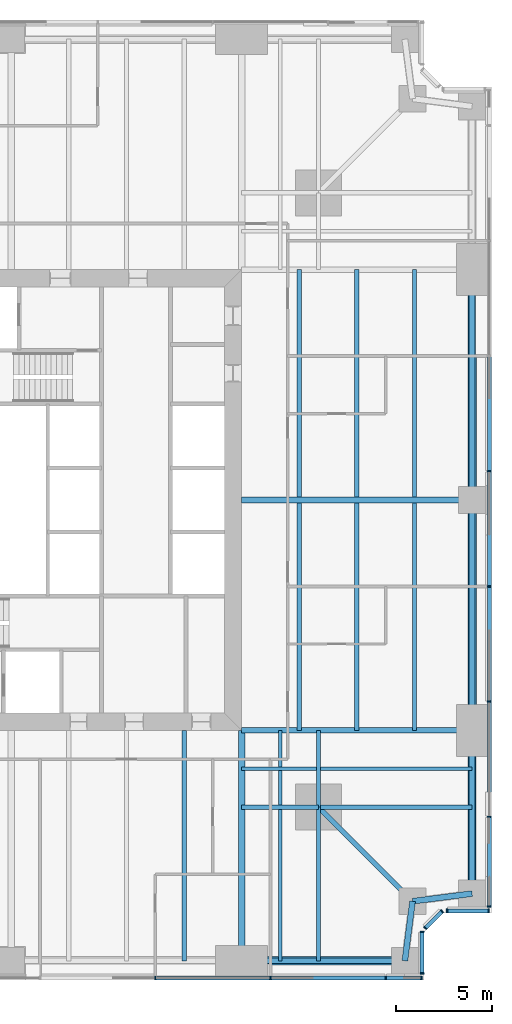
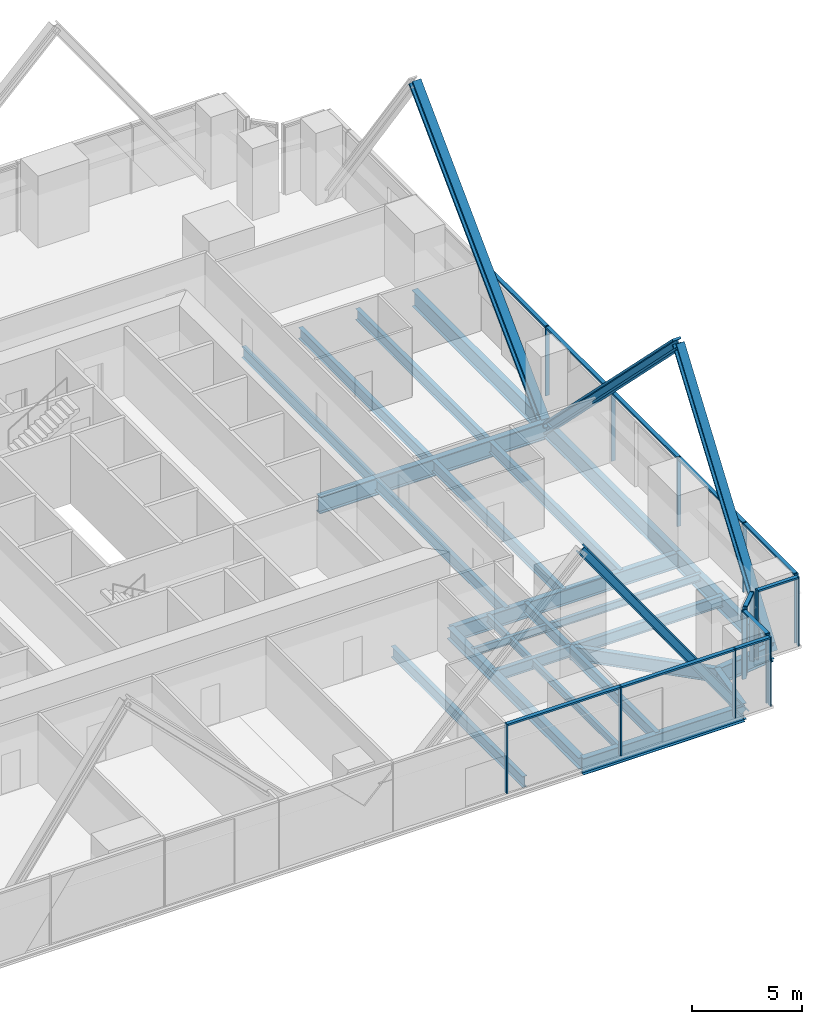
# One storey, part 5 of 13: 30 members, 26 beams, 5 elements without a shape of their own.
"""IFC4 building model written with IfcOpenShell, lengths in metres."""

import ifcopenshell
import ifcopenshell.guid

model = None  # the IFC model being written
_history = None  # IfcOwnerHistory: only IFC2X3 demands one
_inside = {}  # id of a spatial element -> (the spatial element, [elements in it])
_under = {}  # id of a project, library or spatial element -> (it, [spatial elements below it])
_declared = {}  # id of a project -> (the project, [libraries it declares])
_typed = {}  # id of a type object -> (the type object, [elements of that type])
_made_of = {}  # id of a material, layer set ... -> (it, [elements and type objects made of it])


def new_model(schema):
    """Start an empty IFC model of exactly this schema.

    Asked for "IFC4X3", IfcOpenShell would pick the latest addendum, in which some entities
    have other attributes; the version numbers below select the first issue.
    IFC2X3 requires an IfcOwnerHistory on every rooted entity: one is made here for all.
    """
    global model, _history
    if schema == "IFC4X3":
        model = ifcopenshell.file(schema_version=(4, 3, 0, 0))
    else:
        model = ifcopenshell.file(schema=schema)
    _inside.clear()
    _under.clear()
    _declared.clear()
    _typed.clear()
    _made_of.clear()
    _history = None
    if model.schema == "IFC2X3":
        org = make("IfcOrganization", Name="unknown")
        user = make(
            "IfcPersonAndOrganization",
            ThePerson=make("IfcPerson", FamilyName="unknown"),
            TheOrganization=org,
        )
        app = make(
            "IfcApplication",
            ApplicationDeveloper=org,
            Version="unknown",
            ApplicationFullName="unknown",
            ApplicationIdentifier="unknown",
        )
        _history = make(
            "IfcOwnerHistory",
            OwningUser=user,
            OwningApplication=app,
            ChangeAction="ADDED",
            CreationDate=0,
        )
    return model


def make(cls, **values):
    """One entity of the class cls with the attributes given. An attribute that is None is left unset."""
    return model.create_entity(
        cls, **{name: value for name, value in values.items() if value is not None}
    )


def rooted(cls, **values):
    """An entity with a GlobalId (a new one), such as an element, a storey or a relation."""
    return make(cls, GlobalId=ifcopenshell.guid.new(), OwnerHistory=_history, **values)


def si_unit(unit_type, name, prefix=None):
    """IfcSIUnit, for example si_unit("LENGTHUNIT", "METRE", prefix="MILLI")."""
    return make("IfcSIUnit", UnitType=unit_type, Prefix=prefix, Name=name)


def assignment(units):
    """IfcUnitAssignment: the units of a project."""
    return None if units is None else make("IfcUnitAssignment", Units=units)


def point(xyz):
    """IfcCartesianPoint."""
    return None if xyz is None else make("IfcCartesianPoint", Coordinates=xyz)


def direction(xyz):
    """IfcDirection."""
    return None if xyz is None else make("IfcDirection", DirectionRatios=xyz)


def frame(location, z_axis=None, x_axis=None):
    """IfcAxis2Placement3D, a coordinate frame: its origin and axes. An axis left out is left unset."""
    return make(
        "IfcAxis2Placement3D",
        Location=point(location),
        Axis=direction(z_axis),
        RefDirection=direction(x_axis),
    )


def frame_2d(location, x_axis=None):
    """IfcAxis2Placement2D, a coordinate frame in the plane: its origin and x axis."""
    return make(
        "IfcAxis2Placement2D", Location=point(location), RefDirection=direction(x_axis)
    )


def origin():
    """The frame at (0, 0, 0) with its axes left unset."""
    return frame((0.0, 0.0, 0.0))


def origin_2d():
    """The frame at (0, 0) in the plane with its x axis left unset."""
    return frame_2d((0.0, 0.0))


def place(relative_to, where):
    """IfcLocalPlacement: puts the frame where relative to a parent placement (None: the world)."""
    return make(
        "IfcLocalPlacement", PlacementRelTo=relative_to, RelativePlacement=where
    )


def context(
    kind, dimensions, precision=None, world=None, true_north=None, identifier=None
):
    """IfcGeometricRepresentationContext, for example the 3D "Model" context."""
    return make(
        "IfcGeometricRepresentationContext",
        ContextIdentifier=identifier,
        ContextType=kind,
        CoordinateSpaceDimension=dimensions,
        Precision=precision,
        WorldCoordinateSystem=world,
        TrueNorth=true_north,
    )


def subcontext(parent, identifier, kind, view, scale=None):
    """IfcGeometricRepresentationSubContext, for example "Body" below "Model"."""
    return make(
        "IfcGeometricRepresentationSubContext",
        ContextIdentifier=identifier,
        ContextType=kind,
        ParentContext=parent,
        TargetScale=scale,
        TargetView=view,
    )


def project(units=None, contexts=None):
    """IfcProject with its units and contexts."""
    return rooted(
        "IfcProject",
        Name="project",
        RepresentationContexts=contexts,
        UnitsInContext=assignment(units),
    )


def spatial(cls, under=None, at=None, **own):
    """A site, building, storey or space (cls), placed at a placement, below another one or the project."""
    s = rooted(cls, ObjectPlacement=at, **own)
    if under is not None:
        _under.setdefault(under.id(), (under, []))[1].append(s)
    return s


def profile(cls, at=None, kind="AREA", **sizes):
    """A parametric profile (cls). Its sizes go by their IFC names, for example OverallWidth=200.0."""
    return make(cls, ProfileType=kind, Position=at, **sizes)


def rectangle(**sizes):
    """IfcRectangleProfileDef."""
    return profile("IfcRectangleProfileDef", **sizes)


def i_section(**sizes):
    """IfcIShapeProfileDef."""
    return profile("IfcIShapeProfileDef", **sizes)


def extrude(swept, where, along, depth):
    """IfcExtrudedAreaSolid: the profile swept, set in the frame where, extruded along a direction by depth."""
    return make(
        "IfcExtrudedAreaSolid",
        SweptArea=swept,
        Position=where,
        ExtrudedDirection=direction(along),
        Depth=depth,
    )


def shape(context_of_items, identifier, shape_type, items):
    """IfcShapeRepresentation: the items that make up one representation, for example the "Body"."""
    return make(
        "IfcShapeRepresentation",
        ContextOfItems=context_of_items,
        RepresentationIdentifier=identifier,
        RepresentationType=shape_type,
        Items=items,
    )


def material(Name=None, Category=None):
    """IfcMaterial."""
    return make("IfcMaterial", Name=Name, Category=Category)


def material_profile(
    of_material, cross_section, Name=None, Category=None, Priority=None
):
    """IfcMaterialProfile: a cross section and its material."""
    return make(
        "IfcMaterialProfile",
        Name=Name,
        Material=of_material,
        Profile=cross_section,
        Priority=Priority,
        Category=Category,
    )


def profile_set(profiles, Name=None, composite=None):
    """IfcMaterialProfileSet."""
    return make(
        "IfcMaterialProfileSet",
        Name=Name,
        MaterialProfiles=profiles,
        CompositeProfile=composite,
    )


def made_of(thing, what):
    """Note that an element or type object is made of a material, layer set ...; save() writes the relation."""
    if what is not None:
        _made_of.setdefault(what.id(), (what, []))[1].append(thing)
    return thing


def type_object(cls, material=None, **own):
    """A type object (cls), such as IfcWallType, which elements share."""
    return made_of(rooted(cls, **own), material)


def element(
    cls,
    number,
    at=None,
    inside=None,
    cuts=None,
    type_object=None,
    material=None,
    context=None,
    identifier="Body",
    shape_type=None,
    held_by="IfcProductDefinitionShape",
    body=None,
    shapes=None,
    **own,
):
    """One element of the class cls, such as IfcWall. Its Tag is "e" and its number.

    at: its placement. inside: the storey or other place that contains it. cuts: it is an
    opening in that element (IfcRelVoidsElement). A single representation is given by context,
    identifier, shape_type and body (its items); several are given by shapes. held_by: the class
    of the entity that holds the representations. save() writes the other relations.
    """
    e = rooted(cls, Tag="e%d" % number, ObjectPlacement=at, **own)
    if body is not None:
        shapes = [shape(context, identifier, shape_type, body)]
    if shapes is not None:
        e.Representation = make(held_by, Representations=shapes)
    if inside is not None:
        _inside.setdefault(inside.id(), (inside, []))[1].append(e)
    if cuts is not None:
        rooted(
            "IfcRelVoidsElement", RelatingBuildingElement=cuts, RelatedOpeningElement=e
        )
    if type_object is not None:
        _typed.setdefault(type_object.id(), (type_object, []))[1].append(e)
    return made_of(e, material)


def aggregate(whole, parts):
    """IfcRelAggregates: a whole, such as a stair, and the parts it consists of."""
    return rooted("IfcRelAggregates", RelatingObject=whole, RelatedObjects=parts)


def save(model, path):
    """Write the relations noted so far, then the file.

    IfcRelAggregates (storeys below a building ...), IfcRelContainedInSpatialStructure (elements
    in a storey), IfcRelDefinesByType, IfcRelAssociatesMaterial and IfcRelDeclares: one each for
    every whole, place, type object, material and project.
    """
    for whole, parts in _under.values():
        aggregate(whole, parts)
    for where, things in _inside.values():
        rooted(
            "IfcRelContainedInSpatialStructure",
            RelatedElements=things,
            RelatingStructure=where,
        )
    for kind, things in _typed.values():
        rooted("IfcRelDefinesByType", RelatedObjects=things, RelatingType=kind)
    for what, things in _made_of.values():
        rooted("IfcRelAssociatesMaterial", RelatedObjects=things, RelatingMaterial=what)
    for by, libraries in _declared.values():
        rooted("IfcRelDeclares", RelatingContext=by, RelatedDefinitions=libraries)
    model.write(path)


model = new_model("IFC4")

# Units and contexts
model_context = context("Model", 3, precision=1e-05, world=origin(), true_north=direction((0.0, 1.0)))
body_context = subcontext(model_context, "Body", "Model", "MODEL_VIEW")
ifc_project = project(units=[si_unit("LENGTHUNIT", "METRE"), si_unit("AREAUNIT", "SQUARE_METRE"), si_unit("VOLUMEUNIT", "CUBIC_METRE"), si_unit("PLANEANGLEUNIT", "RADIAN"), si_unit("MASSUNIT", "GRAM", prefix="KILO")], contexts=[model_context])

# Site, building, storey
site_placement = place(None, origin())
site = spatial("IfcSite", under=ifc_project, at=site_placement, CompositionType="ELEMENT")
building_placement = place(site_placement, origin())
building = spatial("IfcBuilding", under=site, at=building_placement, Name="Fenwick Lantern Interchange", CompositionType="ELEMENT")
storey_placement = place(building_placement, frame((0.0, 0.0, 67.0)))
storey = spatial("IfcBuildingStorey", under=building, at=storey_placement, Name="L15", CompositionType="ELEMENT", Elevation=67.0)

# Beams
ifc_material_1 = material(Name="Steel ASTM A992 Grade 50", Category="steel")
ifc_material_profile_1 = material_profile(ifc_material_1, i_section(OverallWidth=0.3046875, OverallDepth=0.911865234375, WebThickness=0.015869140625, FlangeThickness=0.02392578125, at=origin_2d()), Name="W36X150")
ifc_profile_set_1 = profile_set([ifc_material_profile_1], Name="Steel ASTM A992 Grade 50")
beam_type_1 = type_object("IfcBeamType", Name="EDGE BEAM W36X150", PredefinedType="SPANDREL", material=ifc_profile_set_1)
beam_1_placement = place(storey_placement, frame((37.0, 1.0, -0.60595703125), z_axis=(1.0, 0.0, 0.0), x_axis=(0.0, 1.0, 0.0)))
element("IfcBeam", 1, at=beam_1_placement, inside=storey, type_object=beam_type_1, Name="L15/FR/S/EB4", PredefinedType="SPANDREL", context=body_context, shape_type="SweptSolid", body=[
    extrude(i_section(OverallWidth=0.3046875, OverallDepth=0.911865234375, WebThickness=0.015869140625, FlangeThickness=0.02392578125, at=origin_2d()), origin(), (0.0, 0.0, 1.0), 8.5),
])
for number, where, z_axis, x_axis, name in (
    (2, (45.5, 1.0, -0.60595703125), (0.127936641807, 0.991782342897, 0.0), (-0.991782342897, 0.127936641807, 0.0), "L15/FR/S/EBR1"),
    (3, (45.89990234375, 4.10009765625, -0.60595703125), (0.991782342897, 0.127936641807, 0.0), (-0.127936641807, 0.991782342897, 0.0), "L15/FR/S/EBR2"),
):
    element("IfcBeam", number, at=place(storey_placement, frame(where, z_axis=z_axis, x_axis=x_axis)), inside=storey, type_object=beam_type_1, Name=name, PredefinedType="SPANDREL", context=body_context, shape_type="SweptSolid", body=[
        extrude(i_section(OverallWidth=0.3046875, OverallDepth=0.911865234375, WebThickness=0.015869140625, FlangeThickness=0.02392578125, at=origin_2d()), origin(), (0.0, 0.0, 1.0), 3.125732421875),
    ])
beam_2_placement = place(storey_placement, frame((49.0, 4.5, -0.60595703125), z_axis=(0.0, 1.0, 0.0), x_axis=(-1.0, 0.0, 0.0)))
element("IfcBeam", 4, at=beam_2_placement, inside=storey, type_object=beam_type_1, Name="L15/FR/E/EB1", PredefinedType="SPANDREL", context=body_context, shape_type="SweptSolid", body=[
    extrude(i_section(OverallWidth=0.3046875, OverallDepth=0.911865234375, WebThickness=0.015869140625, FlangeThickness=0.02392578125, at=origin_2d()), origin(), (0.0, 0.0, 1.0), 8.5),
])
for number, where, z_axis, x_axis, name in (
    (5, (49.0, 13.0, -0.60595703125), (0.0, 1.0, 0.0), (-1.0, 0.0, 0.0), "L15/FR/E/EB2"),
    (6, (49.0, 25.0, -0.60595703125), (0.0, 1.0, 0.0), (-1.0, 0.0, 0.0), "L15/FR/E/EB3"),
):
    element("IfcBeam", number, at=place(storey_placement, frame(where, z_axis=z_axis, x_axis=x_axis)), inside=storey, type_object=beam_type_1, Name=name, PredefinedType="SPANDREL", context=body_context, shape_type="SweptSolid", body=[
        extrude(i_section(OverallWidth=0.3046875, OverallDepth=0.911865234375, WebThickness=0.015869140625, FlangeThickness=0.02392578125, at=origin_2d()), origin(), (0.0, 0.0, 1.0), 12.0),
    ])

# Members
ifc_material_profile_2 = material_profile(ifc_material_1, i_section(OverallWidth=0.424072265625, OverallDepth=0.47509765625, WebThickness=0.0478515625, FlangeThickness=0.0771484375, at=origin_2d()), Name="W14X426")
ifc_profile_set_2 = profile_set([ifc_material_profile_2], Name="Steel ASTM A992 Grade 50")
member_type_1 = type_object("IfcMemberType", Name="FACADE BRACE W14X426", PredefinedType="BRACE", material=ifc_profile_set_2)
for number, where, z_axis, x_axis, name in (
    (7, (45.5, 1.0, -0.60595703125), (-0.57801734078, 0.0, 0.816024481102), (0.0, -1.0, 0.0), "L15/FB/S/BE"),
    (8, (49.0, 4.5, -0.60595703125), (0.0, 0.57801734078, 0.816024481102), (-1.0, 0.0, 0.0), "L15/FB/E/AE"),
):
    element("IfcMember", number, at=place(storey_placement, frame(where, z_axis=z_axis, x_axis=x_axis)), inside=storey, type_object=member_type_1, Name=name, PredefinedType="BRACE", context=body_context, shape_type="SweptSolid", body=[
        extrude(i_section(OverallWidth=0.424072265625, OverallDepth=0.47509765625, WebThickness=0.0478515625, FlangeThickness=0.0771484375, at=origin_2d()), origin(), (0.0, 0.0, 1.0), 14.705322265625),
    ])
ifc_material_profile_3 = material_profile(ifc_material_1, i_section(OverallWidth=0.44189453125, OverallDepth=0.53076171875, WebThickness=0.06591796875, FlangeThickness=0.105712890625, at=origin_2d()), Name="W14X605")
ifc_profile_set_3 = profile_set([ifc_material_profile_3], Name="Steel ASTM A992 Grade 50")
member_type_2 = type_object("IfcMemberType", Name="FACADE BRACE W14X605", PredefinedType="BRACE", material=ifc_profile_set_3)
for number, where, z_axis, x_axis, name in (
    (9, (49.0, 25.0, -0.60595703125), (0.0, -0.707106781187, 0.707106781187), (1.0, 0.0, 0.0), "L15/FB/E/A"),
    (10, (49.0, 25.0, -0.60595703125), (0.0, 0.707106781187, 0.707106781187), (-1.0, 0.0, 0.0), "L15/FB/E/B"),
):
    element("IfcMember", number, at=place(storey_placement, frame(where, z_axis=z_axis, x_axis=x_axis)), inside=storey, type_object=member_type_2, Name=name, PredefinedType="BRACE", context=body_context, shape_type="SweptSolid", body=[
        extrude(i_section(OverallWidth=0.44189453125, OverallDepth=0.53076171875, WebThickness=0.06591796875, FlangeThickness=0.105712890625, at=origin_2d()), origin(), (0.0, 0.0, 1.0), 16.970458984375),
    ])

# Beams
ifc_material_profile_4 = material_profile(ifc_material_1, i_section(OverallWidth=0.22900390625, OverallDepth=0.612060546875, WebThickness=0.011962890625, FlangeThickness=0.01953125, at=origin_2d()), Name="W24X84")
ifc_profile_set_4 = profile_set([ifc_material_profile_4], Name="Steel ASTM A992 Grade 50")
beam_type_2 = type_object("IfcBeamType", Name="FLOOR BEAM W24X84", PredefinedType="BEAM", material=ifc_profile_set_4)
beam_3_placement = place(storey_placement, frame((34.0, 1.0, -0.4560546875), z_axis=(0.0, 1.0, 0.0), x_axis=(-1.0, 0.0, 0.0)))
element("IfcBeam", 11, at=beam_3_placement, inside=storey, type_object=beam_type_2, Name="L15/FR/S/R08", PredefinedType="BEAM", context=body_context, shape_type="SweptSolid", body=[
    extrude(i_section(OverallWidth=0.22900390625, OverallDepth=0.612060546875, WebThickness=0.011962890625, FlangeThickness=0.01953125, at=origin_2d()), origin(), (0.0, 0.0, 1.0), 12.0),
])
for number, where, z_axis, x_axis, name in (
    (12, (46.0, 13.0, -0.4560546875), (0.0, 1.0, 0.0), (-1.0, 0.0, 0.0), "L15/FR/E/B01"),
    (13, (43.0, 13.0, -0.4560546875), (0.0, 1.0, 0.0), (-1.0, 0.0, 0.0), "L15/FR/E/B02"),
    (14, (40.0, 13.0, -0.4560546875), (0.0, 1.0, 0.0), (-1.0, 0.0, 0.0), "L15/FR/E/B03"),
    (15, (46.0, 25.155029296875, -0.4560546875), (0.0, 1.0, 0.0), (-1.0, 0.0, 0.0), "L15/FR/E/B04"),
    (16, (43.0, 25.155029296875, -0.4560546875), (0.0, 1.0, 0.0), (-1.0, 0.0, 0.0), "L15/FR/E/B05"),
    (17, (40.0, 25.155029296875, -0.4560546875), (0.0, 1.0, 0.0), (-1.0, 0.0, 0.0), "L15/FR/E/B06"),
):
    element("IfcBeam", number, at=place(storey_placement, frame(where, z_axis=z_axis, x_axis=x_axis)), inside=storey, type_object=beam_type_2, Name=name, PredefinedType="BEAM", context=body_context, shape_type="SweptSolid", body=[
        extrude(i_section(OverallWidth=0.22900390625, OverallDepth=0.612060546875, WebThickness=0.011962890625, FlangeThickness=0.01953125, at=origin_2d()), origin(), (0.0, 0.0, 1.0), 11.844970703125),
    ])
ifc_material_profile_5 = material_profile(ifc_material_1, i_section(OverallWidth=0.177734375, OverallDepth=0.406494140625, WebThickness=0.0078125, FlangeThickness=0.012939453125, at=origin_2d()), Name="W16X40")
ifc_profile_set_5 = profile_set([ifc_material_profile_5], Name="Steel ASTM A992 Grade 50")
beam_type_3 = type_object("IfcBeamType", Name="INFILL BEAM W16X40", PredefinedType="JOIST", material=ifc_profile_set_5)
beam_4_placement = place(storey_placement, frame((49.0, 11.0, -0.353271484375), z_axis=(-1.0, 0.0, 0.0), x_axis=(0.0, -1.0, 0.0)))
element("IfcBeam", 18, at=beam_4_placement, inside=storey, type_object=beam_type_3, Name="L15/FR/E/J1", PredefinedType="JOIST", context=body_context, shape_type="SweptSolid", body=[
    extrude(i_section(OverallWidth=0.177734375, OverallDepth=0.406494140625, WebThickness=0.0078125, FlangeThickness=0.012939453125, at=origin_2d()), origin(), (0.0, 0.0, 1.0), 7.885498046875),
])
beam_5_placement = place(storey_placement, frame((40.885498046875, 11.0, -0.353271484375), z_axis=(-1.0, 0.0, 0.0), x_axis=(0.0, -1.0, 0.0)))
element("IfcBeam", 19, at=beam_5_placement, inside=storey, type_object=beam_type_3, Name="L15/FR/E/J2", PredefinedType="JOIST", context=body_context, shape_type="SweptSolid", body=[
    extrude(i_section(OverallWidth=0.177734375, OverallDepth=0.406494140625, WebThickness=0.0078125, FlangeThickness=0.012939453125, at=origin_2d()), origin(), (0.0, 0.0, 1.0), 3.885498046875),
])
beam_6_placement = place(storey_placement, frame((39.0, 1.0, -0.353271484375), z_axis=(0.0, 1.0, 0.0), x_axis=(-1.0, 0.0, 0.0)))
element("IfcBeam", 20, at=beam_6_placement, inside=storey, type_object=beam_type_3, Name="L15/FR/E/J3", PredefinedType="JOIST", context=body_context, shape_type="SweptSolid", body=[
    extrude(i_section(OverallWidth=0.177734375, OverallDepth=0.406494140625, WebThickness=0.0078125, FlangeThickness=0.012939453125, at=origin_2d()), origin(), (0.0, 0.0, 1.0), 7.885498046875),
])
beam_7_placement = place(storey_placement, frame((39.0, 9.114501953125, -0.353271484375), z_axis=(0.0, 1.0, 0.0), x_axis=(-1.0, 0.0, 0.0)))
element("IfcBeam", 21, at=beam_7_placement, inside=storey, type_object=beam_type_3, Name="L15/FR/E/J4", PredefinedType="JOIST", context=body_context, shape_type="SweptSolid", body=[
    extrude(i_section(OverallWidth=0.177734375, OverallDepth=0.406494140625, WebThickness=0.0078125, FlangeThickness=0.012939453125, at=origin_2d()), origin(), (0.0, 0.0, 1.0), 1.796630859375),
])
beam_8_placement = place(storey_placement, frame((39.0, 11.0888671875, -0.353271484375), z_axis=(0.0, 1.0, 0.0), x_axis=(-1.0, 0.0, 0.0)))
element("IfcBeam", 22, at=beam_8_placement, inside=storey, type_object=beam_type_3, Name="L15/FR/E/J5", PredefinedType="JOIST", context=body_context, shape_type="SweptSolid", body=[
    extrude(i_section(OverallWidth=0.177734375, OverallDepth=0.406494140625, WebThickness=0.0078125, FlangeThickness=0.012939453125, at=origin_2d()), origin(), (0.0, 0.0, 1.0), 1.9111328125),
])
ifc_material_profile_6 = material_profile(ifc_material_1, i_section(OverallWidth=0.22900390625, OverallDepth=0.612060546875, WebThickness=0.011962890625, FlangeThickness=0.01953125, at=origin_2d()), Name="W24X84")
ifc_profile_set_6 = profile_set([ifc_material_profile_6], Name="Steel ASTM A992 Grade 50")
beam_type_4 = type_object("IfcBeamType", Name="MEGA COLUMN BEAM W24X84", PredefinedType="BEAM", material=ifc_profile_set_6)
for number, where, z_axis, x_axis, name in (
    (23, (41.0, 9.0, -0.4560546875), (1.0, 0.0, 0.0), (0.0, 1.0, 0.0), "L15/FR/E/MB1"),
    (24, (41.0, 9.0, -0.4560546875), (0.0, -1.0, 0.0), (1.0, 0.0, 0.0), "L15/FR/E/MB2"),
):
    element("IfcBeam", number, at=place(storey_placement, frame(where, z_axis=z_axis, x_axis=x_axis)), inside=storey, type_object=beam_type_4, Name=name, PredefinedType="BEAM", context=body_context, shape_type="SweptSolid", body=[
        extrude(i_section(OverallWidth=0.22900390625, OverallDepth=0.612060546875, WebThickness=0.011962890625, FlangeThickness=0.01953125, at=origin_2d()), origin(), (0.0, 0.0, 1.0), 8.0),
    ])
for number, where, z_axis, x_axis, name in (
    (25, (41.0, 9.0, -0.4560546875), (0.0, 1.0, 0.0), (-1.0, 0.0, 0.0), "L15/FR/E/MB3"),
    (26, (41.0, 9.0, -0.4560546875), (-1.0, 0.0, 0.0), (0.0, -1.0, 0.0), "L15/FR/E/MB4"),
):
    element("IfcBeam", number, at=place(storey_placement, frame(where, z_axis=z_axis, x_axis=x_axis)), inside=storey, type_object=beam_type_4, Name=name, PredefinedType="BEAM", context=body_context, shape_type="SweptSolid", body=[
        extrude(i_section(OverallWidth=0.22900390625, OverallDepth=0.612060546875, WebThickness=0.011962890625, FlangeThickness=0.01953125, at=origin_2d()), origin(), (0.0, 0.0, 1.0), 4.0),
    ])
ifc_material_profile_7 = material_profile(ifc_material_1, i_section(OverallWidth=0.32763671875, OverallDepth=0.622314453125, WebThickness=0.015380859375, FlangeThickness=0.0244140625, at=origin_2d()), Name="W24X131")
ifc_profile_set_7 = profile_set([ifc_material_profile_7], Name="Steel ASTM A992 Grade 50")
beam_type_5 = type_object("IfcBeamType", Name="MOMENT-CONNECTED GIRDER W24X131", PredefinedType="BEAM", material=ifc_profile_set_7)
beam_9_placement = place(storey_placement, frame((37.0, 1.0, -0.461181640625), z_axis=(0.0, 1.0, 0.0), x_axis=(-1.0, 0.0, 0.0)))
element("IfcBeam", 27, at=beam_9_placement, inside=storey, type_object=beam_type_5, Name="L15/FR/S/R09", PredefinedType="BEAM", context=body_context, shape_type="SweptSolid", body=[
    extrude(i_section(OverallWidth=0.32763671875, OverallDepth=0.622314453125, WebThickness=0.015380859375, FlangeThickness=0.0244140625, at=origin_2d()), origin(), (0.0, 0.0, 1.0), 12.0),
])
ifc_material_profile_8 = material_profile(ifc_material_1, i_section(OverallWidth=0.2919921875, OverallDepth=0.845703125, WebThickness=0.015380859375, FlangeThickness=0.0244140625, at=origin_2d()), Name="W33X141")
ifc_profile_set_8 = profile_set([ifc_material_profile_8], Name="Steel ASTM A992 Grade 50")
beam_type_6 = type_object("IfcBeamType", Name="MOMENT-CONNECTED GIRDER W33X141", PredefinedType="BEAM", material=ifc_profile_set_8)
beam_10_placement = place(storey_placement, frame((49.0, 13.0, -0.572998046875), z_axis=(-1.0, 0.0, 0.0), x_axis=(0.0, -1.0, 0.0)))
element("IfcBeam", 28, at=beam_10_placement, inside=storey, type_object=beam_type_6, Name="L15/FR/E/R01", PredefinedType="BEAM", context=body_context, shape_type="SweptSolid", body=[
    extrude(i_section(OverallWidth=0.2919921875, OverallDepth=0.845703125, WebThickness=0.015380859375, FlangeThickness=0.0244140625, at=origin_2d()), origin(), (0.0, 0.0, 1.0), 12.0),
])
ifc_material_profile_9 = material_profile(ifc_material_1, i_section(OverallWidth=0.309814453125, OverallDepth=0.949951171875, WebThickness=0.0244140625, FlangeThickness=0.0439453125, at=origin_2d()), Name="W36X256")
ifc_profile_set_9 = profile_set([ifc_material_profile_9], Name="Steel ASTM A992 Grade 50")
beam_type_7 = type_object("IfcBeamType", Name="MOMENT-CONNECTED GIRDER W36X256", PredefinedType="BEAM", material=ifc_profile_set_9)
beam_11_placement = place(storey_placement, frame((49.0, 25.0, -0.625), z_axis=(-1.0, 0.0, 0.0), x_axis=(0.0, -1.0, 0.0)))
element("IfcBeam", 29, at=beam_11_placement, inside=storey, type_object=beam_type_7, Name="L15/FR/E/R02", PredefinedType="BEAM", context=body_context, shape_type="SweptSolid", body=[
    extrude(i_section(OverallWidth=0.309814453125, OverallDepth=0.949951171875, WebThickness=0.0244140625, FlangeThickness=0.0439453125, at=origin_2d()), origin(), (0.0, 0.0, 1.0), 12.0),
])
ifc_material_profile_10 = material_profile(ifc_material_1, i_section(OverallWidth=0.2666015625, OverallDepth=0.7568359375, WebThickness=0.013916015625, FlangeThickness=0.019287109375, at=origin_2d()), Name="W30X108")
ifc_profile_set_10 = profile_set([ifc_material_profile_10], Name="Steel ASTM A992 Grade 50")
beam_type_8 = type_object("IfcBeamType", Name="NOTCH BEAM W30X108", PredefinedType="BEAM", material=ifc_profile_set_10)
beam_12_placement = place(storey_placement, frame((41.0, 9.0, -0.528564453125), z_axis=(0.707106781187, -0.707106781187, 0.0), x_axis=(0.707106781187, 0.707106781187, 0.0)))
element("IfcBeam", 30, at=beam_12_placement, inside=storey, type_object=beam_type_8, Name="L15/FR/E/TG", PredefinedType="BEAM", context=body_context, shape_type="SweptSolid", body=[
    extrude(i_section(OverallWidth=0.2666015625, OverallDepth=0.7568359375, WebThickness=0.013916015625, FlangeThickness=0.019287109375, at=origin_2d()), origin(), (0.0, 0.0, 1.0), 6.929443359375),
])

# Curtain wall, members
ifc_material_2 = material(Name="Aluminium curtain wall frame", Category="aluminium")
curtain_wall_type = type_object("IfcCurtainWallType", Name="OFFICE CURTAIN WALL", PredefinedType="USERDEFINED", material=ifc_material_2)
curtain_wall_1_placement = place(storey_placement, origin())
curtain_wall_1 = element("IfcCurtainWall", 31, at=curtain_wall_1_placement, inside=storey, type_object=curtain_wall_type, Name="Office curtain wall 01", ObjectType="OFFICE CURTAIN WALL", PredefinedType="USERDEFINED")
ifc_material_3 = material(Name="Aluminium extrusion", Category="aluminium")
ifc_material_profile_11 = material_profile(ifc_material_3, rectangle(XDim=0.199951171875, YDim=0.06494140625, at=origin_2d()), Name="OFFICE CURTAIN WALL MULLION 65 X 200")
ifc_profile_set_11 = profile_set([ifc_material_profile_11], Name="Aluminium extrusion")
member_type_3 = type_object("IfcMemberType", Name="OFFICE CURTAIN WALL MULLION 65 X 200", PredefinedType="MULLION", material=ifc_profile_set_11)
member_1_placement = place(storey_placement, frame((32.5, 0.10009765625, 0.0), z_axis=(0.0, 0.0, 1.0), x_axis=(0.0, 1.0, 0.0)))
member_1 = element("IfcMember", 32, at=member_1_placement, type_object=member_type_3, Name="L15/CW/01/M05", PredefinedType="MULLION", context=body_context, shape_type="SweptSolid", body=[
    extrude(rectangle(XDim=0.199951171875, YDim=0.06494140625, at=origin_2d()), origin(), (0.0, 0.0, 1.0), 3.85009765625),
])
member_2_placement = place(storey_placement, frame((38.5, 0.10009765625, 0.0), z_axis=(0.0, 0.0, 1.0), x_axis=(0.0, 1.0, 0.0)))
member_2 = element("IfcMember", 33, at=member_2_placement, type_object=member_type_3, Name="L15/CW/01/M06", PredefinedType="MULLION", context=body_context, shape_type="SweptSolid", body=[
    extrude(rectangle(XDim=0.199951171875, YDim=0.06494140625, at=origin_2d()), origin(), (0.0, 0.0, 1.0), 3.85009765625),
])
member_3_placement = place(storey_placement, frame((44.5, 0.10009765625, 0.0), z_axis=(0.0, 0.0, 1.0), x_axis=(0.0, 1.0, 0.0)))
member_3 = element("IfcMember", 34, at=member_3_placement, type_object=member_type_3, Name="L15/CW/01/M07", PredefinedType="MULLION", context=body_context, shape_type="SweptSolid", body=[
    extrude(rectangle(XDim=0.199951171875, YDim=0.06494140625, at=origin_2d()), origin(), (0.0, 0.0, 1.0), 3.85009765625),
])
member_4_placement = place(storey_placement, frame((46.367431640625, 0.10009765625, 0.0), z_axis=(0.0, 0.0, 1.0), x_axis=(0.0, 1.0, 0.0)))
member_4 = element("IfcMember", 35, at=member_4_placement, type_object=member_type_3, Name="L15/CW/01/M08", PredefinedType="MULLION", context=body_context, shape_type="SweptSolid", body=[
    extrude(rectangle(XDim=0.199951171875, YDim=0.06494140625, at=origin_2d()), origin(), (0.0, 0.0, 1.0), 3.85009765625),
])

curtain_wall_2_placement = place(storey_placement, origin())
curtain_wall_2 = element("IfcCurtainWall", 36, at=curtain_wall_2_placement, inside=storey, type_object=curtain_wall_type, Name="Office curtain wall 02", ObjectType="OFFICE CURTAIN WALL", PredefinedType="USERDEFINED")
member_5_placement = place(storey_placement, frame((46.39990234375, 0.33251953125, 0.0), z_axis=(0.0, 0.0, 1.0), x_axis=(-1.0, 0.0, 0.0)))
member_5 = element("IfcMember", 37, at=member_5_placement, type_object=member_type_3, Name="L15/CW/02/M00", PredefinedType="MULLION", context=body_context, shape_type="SweptSolid", body=[
    extrude(rectangle(XDim=0.199951171875, YDim=0.06494140625, at=origin_2d()), origin(), (0.0, 0.0, 1.0), 3.85009765625),
])
member_6_placement = place(storey_placement, frame((46.39990234375, 2.509033203125, 0.0), z_axis=(0.0, 0.0, 1.0), x_axis=(-1.0, 0.0, 0.0)))
member_6 = element("IfcMember", 38, at=member_6_placement, type_object=member_type_3, Name="L15/CW/02/M01", PredefinedType="MULLION", context=body_context, shape_type="SweptSolid", body=[
    extrude(rectangle(XDim=0.199951171875, YDim=0.06494140625, at=origin_2d()), origin(), (0.0, 0.0, 1.0), 3.85009765625),
])

curtain_wall_3_placement = place(storey_placement, origin())
curtain_wall_3 = element("IfcCurtainWall", 39, at=curtain_wall_3_placement, inside=storey, type_object=curtain_wall_type, Name="Office curtain wall 03", ObjectType="OFFICE CURTAIN WALL", PredefinedType="USERDEFINED")
member_7_placement = place(storey_placement, frame((46.564453125, 2.705810546875, 0.0), z_axis=(0.0, 0.0, 1.0), x_axis=(-0.707106781187, 0.707106781187, 0.0)))
member_7 = element("IfcMember", 40, at=member_7_placement, type_object=member_type_3, Name="L15/CW/03/M00", PredefinedType="MULLION", context=body_context, shape_type="SweptSolid", body=[
    extrude(rectangle(XDim=0.199951171875, YDim=0.06494140625, at=origin_2d()), origin(), (0.0, 0.0, 1.0), 3.85009765625),
])
member_8_placement = place(storey_placement, frame((47.435546875, 3.576904296875, 0.0), z_axis=(0.0, 0.0, 1.0), x_axis=(-0.707106781187, 0.707106781187, 0.0)))
member_8 = element("IfcMember", 41, at=member_8_placement, type_object=member_type_3, Name="L15/CW/03/M01", PredefinedType="MULLION", context=body_context, shape_type="SweptSolid", body=[
    extrude(rectangle(XDim=0.199951171875, YDim=0.06494140625, at=origin_2d()), origin(), (0.0, 0.0, 1.0), 3.85009765625),
])

curtain_wall_4_placement = place(storey_placement, origin())
curtain_wall_4 = element("IfcCurtainWall", 42, at=curtain_wall_4_placement, inside=storey, type_object=curtain_wall_type, Name="Office curtain wall 04", ObjectType="OFFICE CURTAIN WALL", PredefinedType="USERDEFINED")
member_9_placement = place(storey_placement, frame((47.691162109375, 3.60009765625, 0.0), z_axis=(0.0, 0.0, 1.0), x_axis=(0.0, 1.0, 0.0)))
member_9 = element("IfcMember", 43, at=member_9_placement, type_object=member_type_3, Name="L15/CW/04/M00", PredefinedType="MULLION", context=body_context, shape_type="SweptSolid", body=[
    extrude(rectangle(XDim=0.199951171875, YDim=0.06494140625, at=origin_2d()), origin(), (0.0, 0.0, 1.0), 3.85009765625),
])
member_10_placement = place(storey_placement, frame((49.867431640625, 3.60009765625, 0.0), z_axis=(0.0, 0.0, 1.0), x_axis=(0.0, 1.0, 0.0)))
member_10 = element("IfcMember", 44, at=member_10_placement, type_object=member_type_3, Name="L15/CW/04/M01", PredefinedType="MULLION", context=body_context, shape_type="SweptSolid", body=[
    extrude(rectangle(XDim=0.199951171875, YDim=0.06494140625, at=origin_2d()), origin(), (0.0, 0.0, 1.0), 3.85009765625),
])

curtain_wall_5_placement = place(storey_placement, origin())
curtain_wall_5 = element("IfcCurtainWall", 45, at=curtain_wall_5_placement, inside=storey, type_object=curtain_wall_type, Name="Office curtain wall 05", ObjectType="OFFICE CURTAIN WALL", PredefinedType="USERDEFINED")
member_11_placement = place(storey_placement, frame((49.89990234375, 3.83251953125, 0.0), z_axis=(0.0, 0.0, 1.0), x_axis=(-1.0, 0.0, 0.0)))
member_11 = element("IfcMember", 46, at=member_11_placement, type_object=member_type_3, Name="L15/CW/05/M00", PredefinedType="MULLION", context=body_context, shape_type="SweptSolid", body=[
    extrude(rectangle(XDim=0.199951171875, YDim=0.06494140625, at=origin_2d()), origin(), (0.0, 0.0, 1.0), 3.85009765625),
])
member_12_placement = place(storey_placement, frame((49.89990234375, 8.5, 0.0), z_axis=(0.0, 0.0, 1.0), x_axis=(-1.0, 0.0, 0.0)))
member_12 = element("IfcMember", 47, at=member_12_placement, type_object=member_type_3, Name="L15/CW/05/M01", PredefinedType="MULLION", context=body_context, shape_type="SweptSolid", body=[
    extrude(rectangle(XDim=0.199951171875, YDim=0.06494140625, at=origin_2d()), origin(), (0.0, 0.0, 1.0), 3.85009765625),
])
member_13_placement = place(storey_placement, frame((49.89990234375, 14.5, 0.0), z_axis=(0.0, 0.0, 1.0), x_axis=(-1.0, 0.0, 0.0)))
member_13 = element("IfcMember", 48, at=member_13_placement, type_object=member_type_3, Name="L15/CW/05/M02", PredefinedType="MULLION", context=body_context, shape_type="SweptSolid", body=[
    extrude(rectangle(XDim=0.199951171875, YDim=0.06494140625, at=origin_2d()), origin(), (0.0, 0.0, 1.0), 3.85009765625),
])
member_14_placement = place(storey_placement, frame((49.89990234375, 20.5, 0.0), z_axis=(0.0, 0.0, 1.0), x_axis=(-1.0, 0.0, 0.0)))
member_14 = element("IfcMember", 49, at=member_14_placement, type_object=member_type_3, Name="L15/CW/05/M03", PredefinedType="MULLION", context=body_context, shape_type="SweptSolid", body=[
    extrude(rectangle(XDim=0.199951171875, YDim=0.06494140625, at=origin_2d()), origin(), (0.0, 0.0, 1.0), 3.85009765625),
])
member_15_placement = place(storey_placement, frame((49.89990234375, 26.5, 0.0), z_axis=(0.0, 0.0, 1.0), x_axis=(-1.0, 0.0, 0.0)))
member_15 = element("IfcMember", 50, at=member_15_placement, type_object=member_type_3, Name="L15/CW/05/M04", PredefinedType="MULLION", context=body_context, shape_type="SweptSolid", body=[
    extrude(rectangle(XDim=0.199951171875, YDim=0.06494140625, at=origin_2d()), origin(), (0.0, 0.0, 1.0), 3.85009765625),
])

# Member
ifc_material_profile_12 = material_profile(ifc_material_3, rectangle(XDim=0.199951171875, YDim=0.10009765625, at=origin_2d()), Name="OFFICE CURTAIN WALL TRANSOM 100 X 200")
ifc_profile_set_12 = profile_set([ifc_material_profile_12], Name="Aluminium extrusion")
member_type_4 = type_object("IfcMemberType", Name="OFFICE CURTAIN WALL TRANSOM 100 X 200", PredefinedType="MULLION", material=ifc_profile_set_12)
member_16_placement = place(storey_placement, frame((32.532470703125, 0.10009765625, 3.800048828125), z_axis=(1.0, 0.0, 0.0), x_axis=(0.0, 1.0, 0.0)))
member_16 = element("IfcMember", 51, at=member_16_placement, type_object=member_type_4, Name="L15/CW/01/T05", PredefinedType="MULLION", context=body_context, shape_type="SweptSolid", body=[
    extrude(rectangle(XDim=0.199951171875, YDim=0.10009765625, at=origin_2d()), origin(), (0.0, 0.0, 1.0), 5.93505859375),
])

member_17_placement = place(storey_placement, frame((38.532470703125, 0.10009765625, 3.800048828125), z_axis=(1.0, 0.0, 0.0), x_axis=(0.0, 1.0, 0.0)))
member_17 = element("IfcMember", 52, at=member_17_placement, type_object=member_type_4, Name="L15/CW/01/T06", PredefinedType="MULLION", context=body_context, shape_type="SweptSolid", body=[
    extrude(rectangle(XDim=0.199951171875, YDim=0.10009765625, at=origin_2d()), origin(), (0.0, 0.0, 1.0), 5.93505859375),
])

member_18_placement = place(storey_placement, frame((44.532470703125, 0.10009765625, 3.800048828125), z_axis=(1.0, 0.0, 0.0), x_axis=(0.0, 1.0, 0.0)))
member_18 = element("IfcMember", 53, at=member_18_placement, type_object=member_type_4, Name="L15/CW/01/T07", PredefinedType="MULLION", context=body_context, shape_type="SweptSolid", body=[
    extrude(rectangle(XDim=0.199951171875, YDim=0.10009765625, at=origin_2d()), origin(), (0.0, 0.0, 1.0), 1.802490234375),
])

aggregate(curtain_wall_1, [member_1, member_2, member_3, member_4, member_16, member_17, member_18])

member_19_placement = place(storey_placement, frame((46.39990234375, 0.364990234375, 3.800048828125), z_axis=(0.0, 1.0, 0.0), x_axis=(-1.0, 0.0, 0.0)))
member_19 = element("IfcMember", 54, at=member_19_placement, type_object=member_type_4, Name="L15/CW/02/T00", PredefinedType="MULLION", context=body_context, shape_type="SweptSolid", body=[
    extrude(rectangle(XDim=0.199951171875, YDim=0.10009765625, at=origin_2d()), origin(), (0.0, 0.0, 1.0), 2.111328125),
])

aggregate(curtain_wall_2, [member_5, member_6, member_19])

member_20_placement = place(storey_placement, frame((46.58740234375, 2.728759765625, 3.800048828125), z_axis=(0.707106781187, 0.707106781187, 0.0), x_axis=(-0.707106781187, 0.707106781187, 0.0)))
member_20 = element("IfcMember", 55, at=member_20_placement, type_object=member_type_4, Name="L15/CW/03/T00", PredefinedType="MULLION", context=body_context, shape_type="SweptSolid", body=[
    extrude(rectangle(XDim=0.199951171875, YDim=0.10009765625, at=origin_2d()), origin(), (0.0, 0.0, 1.0), 1.1669921875),
])

aggregate(curtain_wall_3, [member_7, member_8, member_20])

member_21_placement = place(storey_placement, frame((47.7236328125, 3.60009765625, 3.800048828125), z_axis=(1.0, 0.0, 0.0), x_axis=(0.0, 1.0, 0.0)))
member_21 = element("IfcMember", 56, at=member_21_placement, type_object=member_type_4, Name="L15/CW/04/T00", PredefinedType="MULLION", context=body_context, shape_type="SweptSolid", body=[
    extrude(rectangle(XDim=0.199951171875, YDim=0.10009765625, at=origin_2d()), origin(), (0.0, 0.0, 1.0), 2.111328125),
])

aggregate(curtain_wall_4, [member_9, member_10, member_21])

member_22_placement = place(storey_placement, frame((49.89990234375, 3.864990234375, 3.800048828125), z_axis=(0.0, 1.0, 0.0), x_axis=(-1.0, 0.0, 0.0)))
member_22 = element("IfcMember", 57, at=member_22_placement, type_object=member_type_4, Name="L15/CW/05/T00", PredefinedType="MULLION", context=body_context, shape_type="SweptSolid", body=[
    extrude(rectangle(XDim=0.199951171875, YDim=0.10009765625, at=origin_2d()), origin(), (0.0, 0.0, 1.0), 4.6025390625),
])

member_23_placement = place(storey_placement, frame((49.89990234375, 8.532470703125, 3.800048828125), z_axis=(0.0, 1.0, 0.0), x_axis=(-1.0, 0.0, 0.0)))
member_23 = element("IfcMember", 58, at=member_23_placement, type_object=member_type_4, Name="L15/CW/05/T01", PredefinedType="MULLION", context=body_context, shape_type="SweptSolid", body=[
    extrude(rectangle(XDim=0.199951171875, YDim=0.10009765625, at=origin_2d()), origin(), (0.0, 0.0, 1.0), 5.93505859375),
])

member_24_placement = place(storey_placement, frame((49.89990234375, 14.532470703125, 3.800048828125), z_axis=(0.0, 1.0, 0.0), x_axis=(-1.0, 0.0, 0.0)))
member_24 = element("IfcMember", 59, at=member_24_placement, type_object=member_type_4, Name="L15/CW/05/T02", PredefinedType="MULLION", context=body_context, shape_type="SweptSolid", body=[
    extrude(rectangle(XDim=0.199951171875, YDim=0.10009765625, at=origin_2d()), origin(), (0.0, 0.0, 1.0), 5.93505859375),
])

member_25_placement = place(storey_placement, frame((49.89990234375, 20.532470703125, 3.800048828125), z_axis=(0.0, 1.0, 0.0), x_axis=(-1.0, 0.0, 0.0)))
member_25 = element("IfcMember", 60, at=member_25_placement, type_object=member_type_4, Name="L15/CW/05/T03", PredefinedType="MULLION", context=body_context, shape_type="SweptSolid", body=[
    extrude(rectangle(XDim=0.199951171875, YDim=0.10009765625, at=origin_2d()), origin(), (0.0, 0.0, 1.0), 5.93505859375),
])

member_26_placement = place(storey_placement, frame((49.89990234375, 26.532470703125, 3.800048828125), z_axis=(0.0, 1.0, 0.0), x_axis=(-1.0, 0.0, 0.0)))
member_26 = element("IfcMember", 61, at=member_26_placement, type_object=member_type_4, Name="L15/CW/05/T04", PredefinedType="MULLION", context=body_context, shape_type="SweptSolid", body=[
    extrude(rectangle(XDim=0.199951171875, YDim=0.10009765625, at=origin_2d()), origin(), (0.0, 0.0, 1.0), 5.93505859375),
])

aggregate(curtain_wall_5, [member_11, member_12, member_13, member_14, member_15, member_22, member_23, member_24, member_25, member_26])

save(model, "model.ifc")
